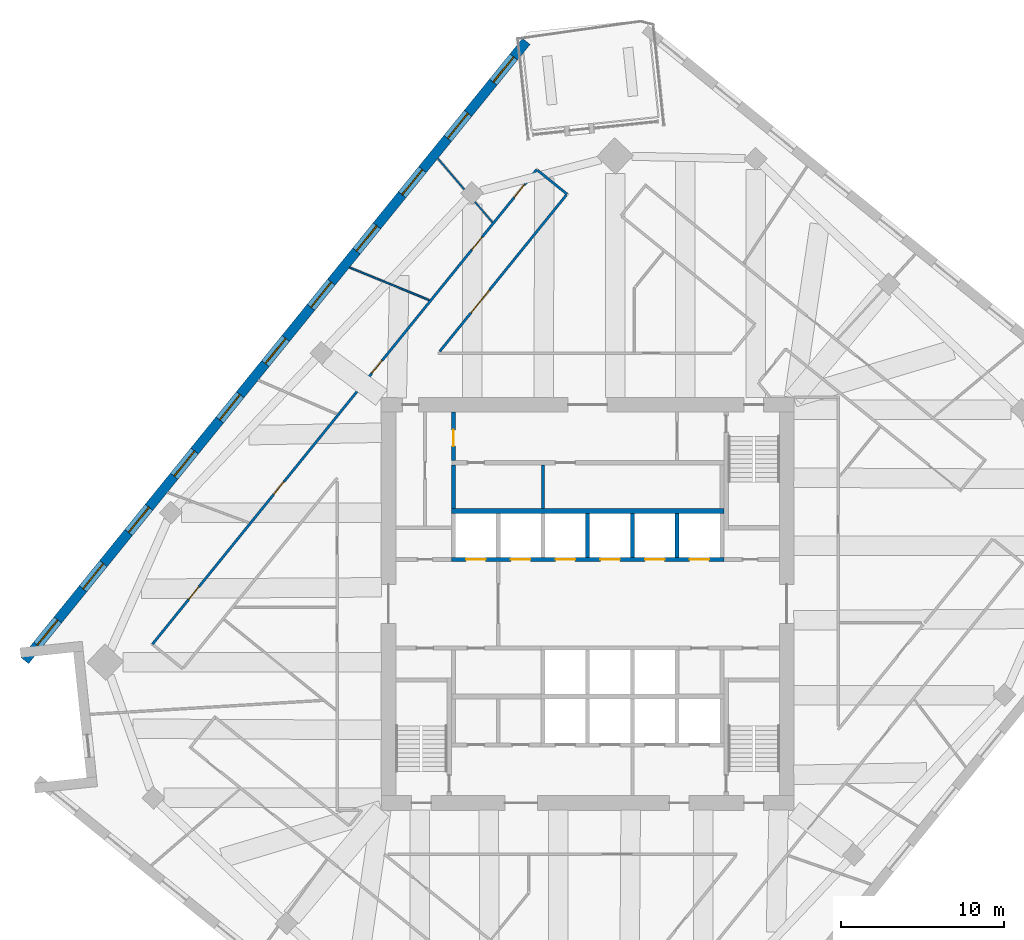
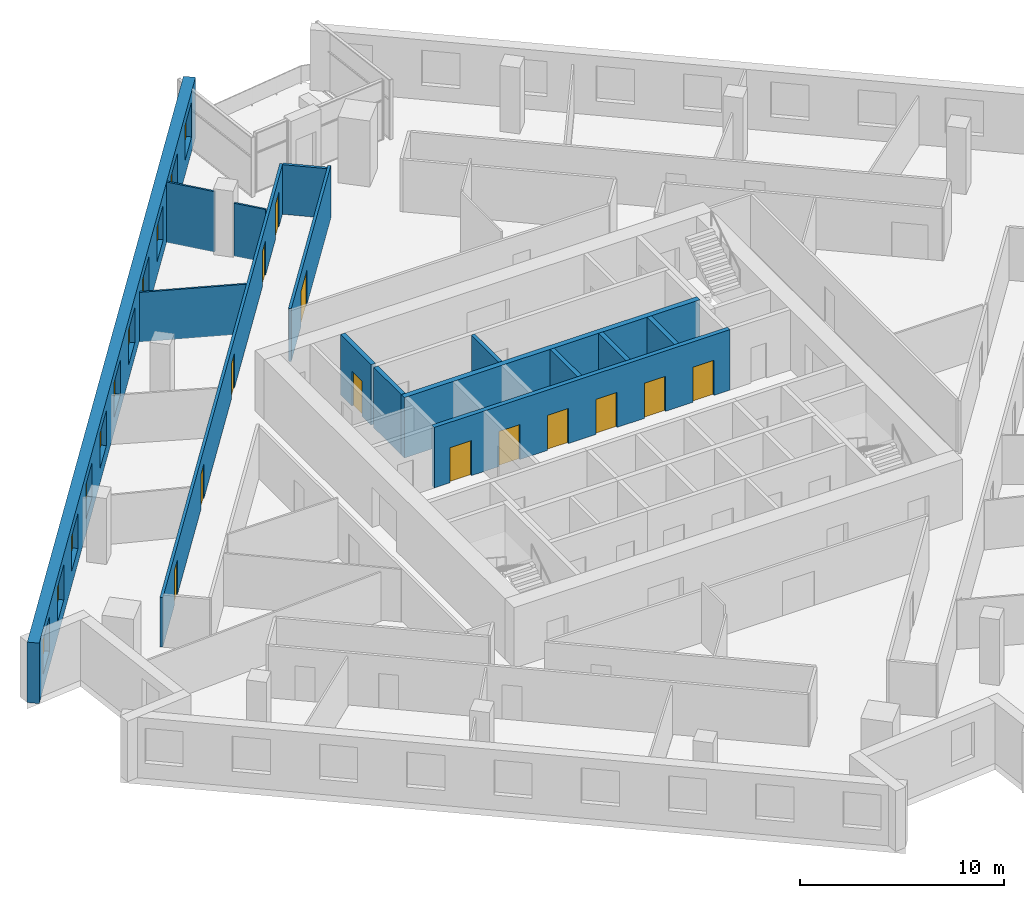
# One storey, part 10 of 14: 15 walls, 13 doors, 11 windows, 24 openings.
"""IFC4 building model written with IfcOpenShell, lengths in metres."""

from ifc_helpers import new_model, si_unit, direction, frame, frame_2d, origin, place, context, subcontext, project, spatial, rectangle, extrude, material, layer, layer_set, type_object, element, fill, save


model = new_model("IFC4")

# Units and contexts
model_context = context("Model", 3, precision=1e-05, world=origin(), true_north=direction((0.0, 1.0)))
body_context = subcontext(model_context, "Body", "Model", "MODEL_VIEW")
ifc_project = project(units=[si_unit("LENGTHUNIT", "METRE"), si_unit("AREAUNIT", "SQUARE_METRE"), si_unit("VOLUMEUNIT", "CUBIC_METRE"), si_unit("PLANEANGLEUNIT", "RADIAN"), si_unit("MASSUNIT", "GRAM", prefix="KILO")], contexts=[model_context])

# Site, building, storey
site_placement = place(None, origin())
site = spatial("IfcSite", under=ifc_project, at=site_placement, CompositionType="ELEMENT")
building_placement = place(site_placement, origin())
building = spatial("IfcBuilding", under=site, at=building_placement, Name="Dilmun Exchange Tower", CompositionType="ELEMENT")
storey_placement = place(building_placement, frame((0.0, 0.0, 233.300048828125)))
storey = spatial("IfcBuildingStorey", under=building, at=storey_placement, Name="L55", CompositionType="ELEMENT", Elevation=233.300048828125)

# Walls
ifc_material_1 = material(Name="Concrete C40/50", Category="concrete")
ifc_layer_1 = layer(ifc_material_1, 0.199951171875)
ifc_layer_set_1 = layer_set([ifc_layer_1], Name="Concrete C40/50")
wall_type_1 = type_object("IfcWallType", Name="Core partition wall 200", PredefinedType="PARTITIONING", material=ifc_layer_set_1)
wall_1_placement = place(storey_placement, frame((-2.75, 5.85498046875, 0.0), z_axis=(0.0, 0.0, 1.0), x_axis=(0.0, 1.0, 0.0)))
element("IfcWall", 1, at=wall_1_placement, inside=storey, type_object=wall_type_1, Name="L55 core partition wall 16", PredefinedType="PARTITIONING", context=body_context, shape_type="SweptSolid", body=[
    extrude(rectangle(XDim=2.68994140625, YDim=0.199951171875, at=frame_2d((1.344970703125, 0.0))), origin(), (0.0, 0.0, 1.0), 3.619873046875),
])
ifc_layer_2 = layer(ifc_material_1, 0.25)
ifc_layer_set_2 = layer_set([ifc_layer_2], Name="Concrete C40/50")
wall_type_2 = type_object("IfcWallType", Name="Core partition wall 250", PredefinedType="PARTITIONING", material=ifc_layer_set_2)
wall_2_placement = place(storey_placement, frame((-8.25, 5.85498046875, 0.0), z_axis=(0.0, 0.0, 1.0), x_axis=(0.0, 1.0, 0.0)))
element("IfcWall", 2, at=wall_2_placement, inside=storey, type_object=wall_type_2, Name="L55 core partition wall 15", PredefinedType="PARTITIONING", context=body_context, shape_type="SweptSolid", body=[
    extrude(rectangle(XDim=2.68994140625, YDim=0.25, at=frame_2d((1.344970703125, 0.0))), origin(), (0.0, 0.0, 1.0), 3.619873046875),
])

# Wall, opening, door
wall_3_placement = place(storey_placement, frame((-8.25, 8.804931640625, 0.0), z_axis=(0.0, 0.0, 1.0), x_axis=(0.0, 1.0, 0.0)))
wall_3 = element("IfcWall", 3, at=wall_3_placement, inside=storey, type_object=wall_type_2, Name="L55 core partition wall 19", PredefinedType="PARTITIONING", context=body_context, shape_type="SweptSolid", body=[
    extrude(rectangle(XDim=2.989990234375, YDim=0.25, at=frame_2d((1.4951171875, 0.0))), origin(), (0.0, 0.0, 1.0), 3.619873046875),
])
opening_1_placement = place(wall_3_placement, frame((0.89501953125, 0.0, 0.0)))
opening_1 = element("IfcOpeningElement", 4, at=opening_1_placement, cuts=wall_3, Name="Opening CD4", PredefinedType="OPENING", context=body_context, shape_type="SweptSolid", body=[
    extrude(rectangle(XDim=1.0, YDim=2.10009765625, at=frame_2d((0.5, 1.050048828125))), frame((0.0, 0.135009765625, 0.0), z_axis=(0.0, -1.0, 0.0), x_axis=(1.0, 0.0, 0.0)), (0.0, 0.0, 1.0), 0.27001953125),
])
ifc_material_2 = material(Name="Fire-rated steel door set", Category="steel")
door_type_1 = type_object("IfcDoorType", Name="Core room door 1000x2100", OperationType="SINGLE_SWING_LEFT", PredefinedType="DOOR", material=ifc_material_2)
door_1_placement = place(opening_1_placement, origin())
door_1 = element("IfcDoor", 5, at=door_1_placement, inside=storey, type_object=door_type_1, Name="L55 door Security room", OperationType="SINGLE_SWING_RIGHT", OverallHeight=2.10009765625, OverallWidth=1.0, PredefinedType="DOOR", context=body_context, shape_type="SweptSolid", body=[
    extrude(rectangle(XDim=1.0, YDim=2.10009765625, at=frame_2d((0.5, 1.050048828125))), frame((0.0, 0.02490234375, 0.0), z_axis=(0.0, -1.0, 0.0), x_axis=(1.0, 0.0, 0.0)), (0.0, 0.0, 1.0), 0.050048828125),
])
fill(opening_1, door_1)

# Wall, openings, doors
ifc_material_3 = material(Name="Corridor wall 150")
ifc_layer_3 = layer(ifc_material_3, 0.14990234375)
ifc_layer_set_3 = layer_set([ifc_layer_3], Name="Corridor wall 150")
wall_type_3 = type_object("IfcWallType", Name="Corridor wall 150", PredefinedType="PARTITIONING", material=ifc_layer_set_3)
wall_4_placement = place(storey_placement, frame((-26.76904296875, -2.487060546875, 0.0), z_axis=(0.0, 0.0, 1.0), x_axis=(0.629320703929, 0.777145708092, 0.0)))
wall_4 = element("IfcWall", 6, at=wall_4_placement, inside=storey, type_object=wall_type_3, Name="Corridor wall", PredefinedType="PARTITIONING", context=body_context, shape_type="SweptSolid", body=[
    extrude(rectangle(XDim=37.557861328125, YDim=0.14990234375, at=frame_2d((18.77880859375, 0.0))), origin(), (0.0, 0.0, 1.0), 2.969970703125),
])
opening_2_placement = place(wall_4_placement, frame((3.550048828125, 0.0, 0.0)))
opening_2 = element("IfcOpeningElement", 7, at=opening_2_placement, cuts=wall_4, Name="Opening TF53-D01", PredefinedType="OPENING", context=body_context, shape_type="SweptSolid", body=[
    extrude(rectangle(XDim=1.0, YDim=2.10009765625, at=frame_2d((0.5, 1.050048828125))), frame((0.0, 0.0849609375, 0.0), z_axis=(0.0, -1.0, 0.0), x_axis=(1.0, 0.0, 0.0)), (0.0, 0.0, 1.0), 0.169921875),
])
opening_3_placement = place(wall_4_placement, frame((11.86181640625, 0.0, 0.0)))
opening_3 = element("IfcOpeningElement", 8, at=opening_3_placement, cuts=wall_4, Name="Opening TF53-D04", PredefinedType="OPENING", context=body_context, shape_type="SweptSolid", body=[
    extrude(rectangle(XDim=1.0, YDim=2.10009765625, at=frame_2d((0.5, 1.050048828125))), frame((0.0, 0.0849609375, 0.0), z_axis=(0.0, -1.0, 0.0), x_axis=(1.0, 0.0, 0.0)), (0.0, 0.0, 1.0), 0.169921875),
])
opening_4_placement = place(wall_4_placement, frame((21.451904296875, 0.0, 0.0)))
opening_4 = element("IfcOpeningElement", 9, at=opening_4_placement, cuts=wall_4, Name="Opening TF53-D07", PredefinedType="OPENING", context=body_context, shape_type="SweptSolid", body=[
    extrude(rectangle(XDim=1.0, YDim=2.10009765625, at=frame_2d((0.5, 1.050048828125))), frame((0.0, 0.0849609375, 0.0), z_axis=(0.0, -1.0, 0.0), x_axis=(1.0, 0.0, 0.0)), (0.0, 0.0, 1.0), 0.169921875),
])
opening_5_placement = place(wall_4_placement, frame((31.223388671875, 0.0, 0.0)))
opening_5 = element("IfcOpeningElement", 10, at=opening_5_placement, cuts=wall_4, Name="Opening TF53-D09", PredefinedType="OPENING", context=body_context, shape_type="SweptSolid", body=[
    extrude(rectangle(XDim=1.0, YDim=2.10009765625, at=frame_2d((0.5, 1.050048828125))), frame((0.0, 0.0849609375, 0.0), z_axis=(0.0, -1.0, 0.0), x_axis=(1.0, 0.0, 0.0)), (0.0, 0.0, 1.0), 0.169921875),
])
opening_6_placement = place(wall_4_placement, frame((35.359375, 0.0, 0.0)))
opening_6 = element("IfcOpeningElement", 11, at=opening_6_placement, cuts=wall_4, Name="Opening TF53-D14", PredefinedType="OPENING", context=body_context, shape_type="SweptSolid", body=[
    extrude(rectangle(XDim=1.0, YDim=2.10009765625, at=frame_2d((0.5, 1.050048828125))), frame((0.0, 0.0849609375, 0.0), z_axis=(0.0, -1.0, 0.0), x_axis=(1.0, 0.0, 0.0)), (0.0, 0.0, 1.0), 0.169921875),
])
ifc_material_4 = material(Name="Fire door 1000 x 2100")
door_type_2 = type_object("IfcDoorType", Name="Fire door 1000 x 2100", OperationType="NOTDEFINED", PredefinedType="DOOR", material=ifc_material_4)
door_2_placement = place(opening_2_placement, origin())
door_2 = element("IfcDoor", 12, at=door_2_placement, inside=storey, type_object=door_type_2, Name="Door TF53-D01", OperationType="SINGLE_SWING_RIGHT", OverallHeight=2.10009765625, OverallWidth=1.0, PredefinedType="DOOR", context=body_context, shape_type="SweptSolid", body=[
    extrude(rectangle(XDim=1.0, YDim=2.10009765625, at=frame_2d((0.5, 1.050048828125))), frame((0.0, 0.02490234375, 0.0), z_axis=(0.0, -1.0, 0.0), x_axis=(1.0, 0.0, 0.0)), (0.0, 0.0, 1.0), 0.050048828125),
])
fill(opening_2, door_2)
door_3_placement = place(opening_3_placement, origin())
door_3 = element("IfcDoor", 13, at=door_3_placement, inside=storey, type_object=door_type_2, Name="Door TF53-D04", OperationType="SINGLE_SWING_LEFT", OverallHeight=2.10009765625, OverallWidth=1.0, PredefinedType="DOOR", context=body_context, shape_type="SweptSolid", body=[
    extrude(rectangle(XDim=1.0, YDim=2.10009765625, at=frame_2d((0.5, 1.050048828125))), frame((0.0, 0.02490234375, 0.0), z_axis=(0.0, -1.0, 0.0), x_axis=(1.0, 0.0, 0.0)), (0.0, 0.0, 1.0), 0.050048828125),
])
fill(opening_3, door_3)
door_4_placement = place(opening_4_placement, origin())
door_4 = element("IfcDoor", 14, at=door_4_placement, inside=storey, type_object=door_type_2, Name="Door TF53-D07", OperationType="SINGLE_SWING_RIGHT", OverallHeight=2.10009765625, OverallWidth=1.0, PredefinedType="DOOR", context=body_context, shape_type="SweptSolid", body=[
    extrude(rectangle(XDim=1.0, YDim=2.10009765625, at=frame_2d((0.5, 1.050048828125))), frame((0.0, 0.02490234375, 0.0), z_axis=(0.0, -1.0, 0.0), x_axis=(1.0, 0.0, 0.0)), (0.0, 0.0, 1.0), 0.050048828125),
])
fill(opening_4, door_4)
door_5_placement = place(opening_5_placement, origin())
door_5 = element("IfcDoor", 15, at=door_5_placement, inside=storey, type_object=door_type_2, Name="Door TF53-D09", OperationType="SINGLE_SWING_RIGHT", OverallHeight=2.10009765625, OverallWidth=1.0, PredefinedType="DOOR", context=body_context, shape_type="SweptSolid", body=[
    extrude(rectangle(XDim=1.0, YDim=2.10009765625, at=frame_2d((0.5, 1.050048828125))), frame((0.0, 0.02490234375, 0.0), z_axis=(0.0, -1.0, 0.0), x_axis=(1.0, 0.0, 0.0)), (0.0, 0.0, 1.0), 0.050048828125),
])
fill(opening_5, door_5)
door_6_placement = place(opening_6_placement, origin())
door_6 = element("IfcDoor", 16, at=door_6_placement, inside=storey, type_object=door_type_2, Name="Door TF53-D14", OperationType="SINGLE_SWING_RIGHT", OverallHeight=2.10009765625, OverallWidth=1.0, PredefinedType="DOOR", context=body_context, shape_type="SweptSolid", body=[
    extrude(rectangle(XDim=1.0, YDim=2.10009765625, at=frame_2d((0.5, 1.050048828125))), frame((0.0, 0.02490234375, 0.0), z_axis=(0.0, -1.0, 0.0), x_axis=(1.0, 0.0, 0.0)), (0.0, 0.0, 1.0), 0.050048828125),
])
fill(opening_6, door_6)

# Wall, opening, door
wall_5_placement = place(storey_placement, frame((-9.09716796875, 15.522216796875, 0.0), z_axis=(0.0, 0.0, 1.0), x_axis=(0.629294773149, 0.777166705725, 0.0)))
wall_5 = element("IfcWall", 17, at=wall_5_placement, inside=storey, type_object=wall_type_3, Name="Corridor wall", PredefinedType="PARTITIONING", context=body_context, shape_type="SweptSolid", body=[
    extrude(rectangle(XDim=12.3662109375, YDim=0.14990234375, at=frame_2d((6.18310546875, 0.0))), origin(), (0.0, 0.0, 1.0), 3.169921875),
])
opening_7_placement = place(wall_5_placement, frame((3.050048828125, 0.0, 0.0)))
opening_7 = element("IfcOpeningElement", 18, at=opening_7_placement, cuts=wall_5, Name="Opening TF53-D13", PredefinedType="OPENING", context=body_context, shape_type="SweptSolid", body=[
    extrude(rectangle(XDim=1.800048828125, YDim=2.10009765625, at=frame_2d((0.89990234375, 1.050048828125))), frame((0.0, 0.0849609375, 0.0), z_axis=(0.0, -1.0, 0.0), x_axis=(1.0, 0.0, 0.0)), (0.0, 0.0, 1.0), 0.169921875),
])
ifc_material_5 = material(Name="Fire door pair 1800 x 2100")
door_type_3 = type_object("IfcDoorType", Name="Fire door pair 1800 x 2100", OperationType="NOTDEFINED", PredefinedType="DOOR", material=ifc_material_5)
door_7_placement = place(opening_7_placement, frame((1.800048828125, 0.0, 0.0), z_axis=(0.0, 0.0, 1.0), x_axis=(-1.0, 0.0, 0.0)))
door_7 = element("IfcDoor", 19, at=door_7_placement, inside=storey, type_object=door_type_3, Name="Door TF53-D13", OperationType="DOUBLE_DOOR_SINGLE_SWING", OverallHeight=2.10009765625, OverallWidth=1.800048828125, PredefinedType="DOOR", context=body_context, shape_type="SweptSolid", body=[
    extrude(rectangle(XDim=1.800048828125, YDim=2.10009765625, at=frame_2d((0.89990234375, 1.050048828125))), frame((0.0, 0.02490234375, 0.0), z_axis=(0.0, -1.0, 0.0), x_axis=(1.0, 0.0, 0.0)), (0.0, 0.0, 1.0), 0.050048828125),
])
fill(opening_7, door_7)

# Walls
wall_6_placement = place(storey_placement, frame((-3.07470703125, 26.65380859375, 0.0), z_axis=(0.0, 0.0, 1.0), x_axis=(0.777166601342, -0.62929490206, 0.0)))
element("IfcWall", 20, at=wall_6_placement, inside=storey, type_object=wall_type_3, Name="Corridor wall", PredefinedType="PARTITIONING", context=body_context, shape_type="SweptSolid", body=[
    extrude(rectangle(XDim=2.32470703125, YDim=0.14990234375, at=frame_2d((1.162353515625, 0.0))), origin(), (0.0, 0.0, 1.0), 2.969970703125),
])
ifc_layer_4 = layer(ifc_material_1, 0.300048828125)
ifc_layer_set_4 = layer_set([ifc_layer_4], Name="Concrete C40/50")
wall_type_4 = type_object("IfcWallType", Name="Lift shaft shared wall 300", PredefinedType="SOLIDWALL", material=ifc_layer_set_4)
wall_7_placement = place(storey_placement, frame((-8.375, 5.699951171875, 0.0), z_axis=(0.0, 0.0, 1.0), x_axis=(1.0, 0.0, 0.0)))
element("IfcWall", 21, at=wall_7_placement, inside=storey, type_object=wall_type_4, Name="L55 lift shaft rear wall N", PredefinedType="SOLIDWALL", context=body_context, shape_type="SweptSolid", body=[
    extrude(rectangle(XDim=16.75, YDim=0.300048828125, at=frame_2d((8.375, 0.0))), origin(), (0.0, 0.0, 1.0), 3.619873046875),
])

# Wall, openings, doors
ifc_layer_5 = layer(ifc_material_1, 0.25)
ifc_layer_set_5 = layer_set([ifc_layer_5], Name="Concrete C40/50")
wall_type_5 = type_object("IfcWallType", Name="Lift shaft wall 250", PredefinedType="SOLIDWALL", material=ifc_layer_set_5)
wall_8_placement = place(storey_placement, frame((-8.375, 2.72509765625, 0.0), z_axis=(0.0, 0.0, 1.0), x_axis=(1.0, 0.0, 0.0)))
wall_8 = element("IfcWall", 22, at=wall_8_placement, inside=storey, type_object=wall_type_5, Name="L55 lift shaft front wall N1", PredefinedType="SOLIDWALL", context=body_context, shape_type="SweptSolid", body=[
    extrude(rectangle(XDim=16.75, YDim=0.25, at=frame_2d((8.375, 0.0))), origin(), (0.0, 0.0, 1.0), 3.619873046875),
])
opening_8_placement = place(wall_8_placement, frame((0.89990234375, 0.0, 0.0)))
opening_8 = element("IfcOpeningElement", 23, at=opening_8_placement, cuts=wall_8, Name="Opening LD", PredefinedType="OPENING", context=body_context, shape_type="SweptSolid", body=[
    extrude(rectangle(XDim=1.199951171875, YDim=2.10009765625, at=frame_2d((0.60009765625, 1.050048828125))), frame((0.0, 0.135009765625, 0.0), z_axis=(0.0, -1.0, 0.0), x_axis=(1.0, 0.0, 0.0)), (0.0, 0.0, 1.0), 0.27001953125),
])
opening_9_placement = place(wall_8_placement, frame((3.64990234375, 0.0, 0.0)))
opening_9 = element("IfcOpeningElement", 24, at=opening_9_placement, cuts=wall_8, Name="Opening LD", PredefinedType="OPENING", context=body_context, shape_type="SweptSolid", body=[
    extrude(rectangle(XDim=1.199951171875, YDim=2.10009765625, at=frame_2d((0.60009765625, 1.050048828125))), frame((0.0, 0.135009765625, 0.0), z_axis=(0.0, -1.0, 0.0), x_axis=(1.0, 0.0, 0.0)), (0.0, 0.0, 1.0), 0.27001953125),
])
opening_10_placement = place(wall_8_placement, frame((6.39990234375, 0.0, 0.0)))
opening_10 = element("IfcOpeningElement", 25, at=opening_10_placement, cuts=wall_8, Name="Opening LD", PredefinedType="OPENING", context=body_context, shape_type="SweptSolid", body=[
    extrude(rectangle(XDim=1.199951171875, YDim=2.10009765625, at=frame_2d((0.60009765625, 1.050048828125))), frame((0.0, 0.135009765625, 0.0), z_axis=(0.0, -1.0, 0.0), x_axis=(1.0, 0.0, 0.0)), (0.0, 0.0, 1.0), 0.27001953125),
])
opening_11_placement = place(wall_8_placement, frame((9.14990234375, 0.0, 0.0)))
opening_11 = element("IfcOpeningElement", 26, at=opening_11_placement, cuts=wall_8, Name="Opening LD", PredefinedType="OPENING", context=body_context, shape_type="SweptSolid", body=[
    extrude(rectangle(XDim=1.199951171875, YDim=2.10009765625, at=frame_2d((0.60009765625, 1.050048828125))), frame((0.0, 0.135009765625, 0.0), z_axis=(0.0, -1.0, 0.0), x_axis=(1.0, 0.0, 0.0)), (0.0, 0.0, 1.0), 0.27001953125),
])
opening_12_placement = place(wall_8_placement, frame((11.89990234375, 0.0, 0.0)))
opening_12 = element("IfcOpeningElement", 27, at=opening_12_placement, cuts=wall_8, Name="Opening LD", PredefinedType="OPENING", context=body_context, shape_type="SweptSolid", body=[
    extrude(rectangle(XDim=1.199951171875, YDim=2.10009765625, at=frame_2d((0.60009765625, 1.050048828125))), frame((0.0, 0.135009765625, 0.0), z_axis=(0.0, -1.0, 0.0), x_axis=(1.0, 0.0, 0.0)), (0.0, 0.0, 1.0), 0.27001953125),
])
opening_13_placement = place(wall_8_placement, frame((14.64990234375, 0.0, 0.0)))
opening_13 = element("IfcOpeningElement", 28, at=opening_13_placement, cuts=wall_8, Name="Opening LD", PredefinedType="OPENING", context=body_context, shape_type="SweptSolid", body=[
    extrude(rectangle(XDim=1.199951171875, YDim=2.10009765625, at=frame_2d((0.60009765625, 1.050048828125))), frame((0.0, 0.135009765625, 0.0), z_axis=(0.0, -1.0, 0.0), x_axis=(1.0, 0.0, 0.0)), (0.0, 0.0, 1.0), 0.27001953125),
])
door_type_4 = type_object("IfcDoorType", Name="Lift landing door 1200x2100", OperationType="DOUBLE_DOOR_SLIDING", PredefinedType="DOOR", material=ifc_material_2)
door_8_placement = place(opening_8_placement, origin())
door_8 = element("IfcDoor", 29, at=door_8_placement, inside=storey, type_object=door_type_4, Name="L55 landing door MR1", OperationType="DOUBLE_DOOR_SLIDING", OverallHeight=2.10009765625, OverallWidth=1.199951171875, PredefinedType="DOOR", context=body_context, shape_type="SweptSolid", body=[
    extrude(rectangle(XDim=1.199951171875, YDim=2.10009765625, at=frame_2d((0.60009765625, 1.050048828125))), frame((0.0, 0.02490234375, 0.0), z_axis=(0.0, -1.0, 0.0), x_axis=(1.0, 0.0, 0.0)), (0.0, 0.0, 1.0), 0.050048828125),
])
fill(opening_8, door_8)
door_9_placement = place(opening_9_placement, origin())
door_9 = element("IfcDoor", 30, at=door_9_placement, inside=storey, type_object=door_type_4, Name="L55 landing door MR2", OperationType="DOUBLE_DOOR_SLIDING", OverallHeight=2.10009765625, OverallWidth=1.199951171875, PredefinedType="DOOR", context=body_context, shape_type="SweptSolid", body=[
    extrude(rectangle(XDim=1.199951171875, YDim=2.10009765625, at=frame_2d((0.60009765625, 1.050048828125))), frame((0.0, 0.02490234375, 0.0), z_axis=(0.0, -1.0, 0.0), x_axis=(1.0, 0.0, 0.0)), (0.0, 0.0, 1.0), 0.050048828125),
])
fill(opening_9, door_9)
door_10_placement = place(opening_10_placement, origin())
door_10 = element("IfcDoor", 31, at=door_10_placement, inside=storey, type_object=door_type_4, Name="L55 landing door MR3", OperationType="DOUBLE_DOOR_SLIDING", OverallHeight=2.10009765625, OverallWidth=1.199951171875, PredefinedType="DOOR", context=body_context, shape_type="SweptSolid", body=[
    extrude(rectangle(XDim=1.199951171875, YDim=2.10009765625, at=frame_2d((0.60009765625, 1.050048828125))), frame((0.0, 0.02490234375, 0.0), z_axis=(0.0, -1.0, 0.0), x_axis=(1.0, 0.0, 0.0)), (0.0, 0.0, 1.0), 0.050048828125),
])
fill(opening_10, door_10)
door_11_placement = place(opening_11_placement, origin())
door_11 = element("IfcDoor", 32, at=door_11_placement, inside=storey, type_object=door_type_4, Name="L55 landing door MR4", OperationType="DOUBLE_DOOR_SLIDING", OverallHeight=2.10009765625, OverallWidth=1.199951171875, PredefinedType="DOOR", context=body_context, shape_type="SweptSolid", body=[
    extrude(rectangle(XDim=1.199951171875, YDim=2.10009765625, at=frame_2d((0.60009765625, 1.050048828125))), frame((0.0, 0.02490234375, 0.0), z_axis=(0.0, -1.0, 0.0), x_axis=(1.0, 0.0, 0.0)), (0.0, 0.0, 1.0), 0.050048828125),
])
fill(opening_11, door_11)
door_12_placement = place(opening_12_placement, origin())
door_12 = element("IfcDoor", 33, at=door_12_placement, inside=storey, type_object=door_type_4, Name="L55 landing door MR5", OperationType="DOUBLE_DOOR_SLIDING", OverallHeight=2.10009765625, OverallWidth=1.199951171875, PredefinedType="DOOR", context=body_context, shape_type="SweptSolid", body=[
    extrude(rectangle(XDim=1.199951171875, YDim=2.10009765625, at=frame_2d((0.60009765625, 1.050048828125))), frame((0.0, 0.02490234375, 0.0), z_axis=(0.0, -1.0, 0.0), x_axis=(1.0, 0.0, 0.0)), (0.0, 0.0, 1.0), 0.050048828125),
])
fill(opening_12, door_12)
door_13_placement = place(opening_13_placement, origin())
door_13 = element("IfcDoor", 34, at=door_13_placement, inside=storey, type_object=door_type_4, Name="L55 landing door MR6", OperationType="DOUBLE_DOOR_SLIDING", OverallHeight=2.10009765625, OverallWidth=1.199951171875, PredefinedType="DOOR", context=body_context, shape_type="SweptSolid", body=[
    extrude(rectangle(XDim=1.199951171875, YDim=2.10009765625, at=frame_2d((0.60009765625, 1.050048828125))), frame((0.0, 0.02490234375, 0.0), z_axis=(0.0, -1.0, 0.0), x_axis=(1.0, 0.0, 0.0)), (0.0, 0.0, 1.0), 0.050048828125),
])
fill(opening_13, door_13)

# Walls
for number, where, z_axis, x_axis, name in (
    (35, (0.0, 2.85009765625, 0.0), (0.0, 0.0, 1.0), (0.0, 1.0, 0.0), "L55 lift shaft divider N13"),
    (36, (2.75, 2.85009765625, 0.0), (0.0, 0.0, 1.0), (0.0, 1.0, 0.0), "L55 lift shaft divider N14"),
    (37, (5.5, 2.85009765625, 0.0), (0.0, 0.0, 1.0), (0.0, 1.0, 0.0), "L55 lift shaft divider N15"),
):
    element("IfcWall", number, at=place(storey_placement, frame(where, z_axis=z_axis, x_axis=x_axis)), inside=storey, type_object=wall_type_5, Name=name, PredefinedType="SOLIDWALL", context=body_context, shape_type="SweptSolid", body=[
        extrude(rectangle(XDim=2.699951171875, YDim=0.25, at=frame_2d((1.35009765625, 0.0))), origin(), (0.0, 0.0, 1.0), 3.619873046875),
    ])
ifc_material_6 = material(Name="Partition 100")
ifc_layer_6 = layer(ifc_material_6, 0.10009765625)
ifc_layer_set_6 = layer_set([ifc_layer_6], Name="Partition 100")
wall_type_6 = type_object("IfcWallType", Name="Partition 100", PredefinedType="PARTITIONING", material=ifc_layer_set_6)
wall_9_placement = place(storey_placement, frame((-14.64501953125, 20.683837890625, 0.0), z_axis=(0.0, 0.0, 1.0), x_axis=(0.925219687535, -0.379431851321, 0.0)))
element("IfcWall", 38, at=wall_9_placement, inside=storey, type_object=wall_type_6, Name="Partition", PredefinedType="PARTITIONING", context=body_context, shape_type="SweptSolid", body=[
    extrude(rectangle(XDim=5.29345703125, YDim=0.10009765625, at=frame_2d((2.646728515625, 0.0))), origin(), (0.0, 0.0, 1.0), 2.969970703125),
])
wall_10_placement = place(storey_placement, frame((-9.217041015625, 27.38671875, 0.0), z_axis=(0.0, 0.0, 1.0), x_axis=(0.649924567032, -0.75999872182, 0.0)))
element("IfcWall", 39, at=wall_10_placement, inside=storey, type_object=wall_type_6, Name="Partition", PredefinedType="PARTITIONING", context=body_context, shape_type="SweptSolid", body=[
    extrude(rectangle(XDim=2.50634765625, YDim=0.10009765625, at=frame_2d((1.253173828125, 0.0))), origin(), (0.0, 0.0, 1.0), 3.619873046875),
])
wall_11_placement = place(storey_placement, frame((-6.9345703125, 24.71728515625, 0.0), z_axis=(0.0, 0.0, 1.0), x_axis=(0.650047373703, -0.759893684631, 0.0)))
element("IfcWall", 40, at=wall_11_placement, inside=storey, type_object=wall_type_6, Name="Partition", PredefinedType="PARTITIONING", context=body_context, shape_type="SweptSolid", body=[
    extrude(rectangle(XDim=1.649169921875, YDim=0.10009765625, at=frame_2d((0.82470703125, 0.0))), origin(), (0.0, 0.0, 1.0), 3.169921875),
])

# Wall, openings, windows
ifc_material_7 = material(Name="Precast concrete C50/60", Category="concrete")
ifc_layer_7 = layer(ifc_material_7, 0.60009765625)
ifc_layer_set_7 = layer_set([ifc_layer_7], Name="Precast concrete C50/60")
wall_type_7 = type_object("IfcWallType", Name="Precast stone-clad wall 600", PredefinedType="STANDARD", material=ifc_layer_set_7)
wall_12_placement = place(storey_placement, frame((-3.777099609375, 34.584228515625, 0.0), z_axis=(0.0, 0.0, 1.0), x_axis=(-0.629323778295, -0.777143218508, 0.0)))
wall_12 = element("IfcWall", 41, at=wall_12_placement, inside=storey, type_object=wall_type_7, Name="Facade wall L55-03", PredefinedType="STANDARD", context=body_context, shape_type="SweptSolid", body=[
    extrude(rectangle(XDim=49.0, YDim=0.60009765625, at=frame_2d((24.5, 0.0))), origin(), (0.0, 0.0, 1.0), 3.619873046875),
])
opening_14_placement = place(wall_12_placement, frame((1.227294921875, 0.0, 0.89990234375)))
opening_14 = element("IfcOpeningElement", 42, at=opening_14_placement, cuts=wall_12, Name="Opening W200-210", PredefinedType="OPENING", context=body_context, shape_type="SweptSolid", body=[
    extrude(rectangle(XDim=2.0, YDim=2.10009765625, at=frame_2d((1.0, 1.050048828125))), frame((0.0, 0.31005859375, 0.0), z_axis=(0.0, -1.0, 0.0), x_axis=(1.0, 0.0, 0.0)), (0.0, 0.0, 1.0), 0.6201171875),
])
opening_15_placement = place(wall_12_placement, frame((5.681884765625, 0.0, 0.89990234375)))
opening_15 = element("IfcOpeningElement", 43, at=opening_15_placement, cuts=wall_12, Name="Opening W200-210", PredefinedType="OPENING", context=body_context, shape_type="SweptSolid", body=[
    extrude(rectangle(XDim=2.0, YDim=2.10009765625, at=frame_2d((1.0, 1.050048828125))), frame((0.0, 0.31005859375, 0.0), z_axis=(0.0, -1.0, 0.0), x_axis=(1.0, 0.0, 0.0)), (0.0, 0.0, 1.0), 0.6201171875),
])
opening_16_placement = place(wall_12_placement, frame((10.136474609375, 0.0, 0.89990234375)))
opening_16 = element("IfcOpeningElement", 44, at=opening_16_placement, cuts=wall_12, Name="Opening W200-210", PredefinedType="OPENING", context=body_context, shape_type="SweptSolid", body=[
    extrude(rectangle(XDim=2.0, YDim=2.10009765625, at=frame_2d((1.0, 1.050048828125))), frame((0.0, 0.31005859375, 0.0), z_axis=(0.0, -1.0, 0.0), x_axis=(1.0, 0.0, 0.0)), (0.0, 0.0, 1.0), 0.6201171875),
])
opening_17_placement = place(wall_12_placement, frame((14.5908203125, 0.0, 0.89990234375)))
opening_17 = element("IfcOpeningElement", 45, at=opening_17_placement, cuts=wall_12, Name="Opening W200-210", PredefinedType="OPENING", context=body_context, shape_type="SweptSolid", body=[
    extrude(rectangle(XDim=2.0, YDim=2.10009765625, at=frame_2d((1.0, 1.050048828125))), frame((0.0, 0.31005859375, 0.0), z_axis=(0.0, -1.0, 0.0), x_axis=(1.0, 0.0, 0.0)), (0.0, 0.0, 1.0), 0.6201171875),
])
opening_18_placement = place(wall_12_placement, frame((19.04541015625, 0.0, 0.89990234375)))
opening_18 = element("IfcOpeningElement", 46, at=opening_18_placement, cuts=wall_12, Name="Opening W200-210", PredefinedType="OPENING", context=body_context, shape_type="SweptSolid", body=[
    extrude(rectangle(XDim=2.0, YDim=2.10009765625, at=frame_2d((1.0, 1.050048828125))), frame((0.0, 0.31005859375, 0.0), z_axis=(0.0, -1.0, 0.0), x_axis=(1.0, 0.0, 0.0)), (0.0, 0.0, 1.0), 0.6201171875),
])
opening_19_placement = place(wall_12_placement, frame((23.5, 0.0, 0.89990234375)))
opening_19 = element("IfcOpeningElement", 47, at=opening_19_placement, cuts=wall_12, Name="Opening W200-210", PredefinedType="OPENING", context=body_context, shape_type="SweptSolid", body=[
    extrude(rectangle(XDim=2.0, YDim=2.10009765625, at=frame_2d((1.0, 1.050048828125))), frame((0.0, 0.31005859375, 0.0), z_axis=(0.0, -1.0, 0.0), x_axis=(1.0, 0.0, 0.0)), (0.0, 0.0, 1.0), 0.6201171875),
])
opening_20_placement = place(wall_12_placement, frame((27.95458984375, 0.0, 0.89990234375)))
opening_20 = element("IfcOpeningElement", 48, at=opening_20_placement, cuts=wall_12, Name="Opening W200-210", PredefinedType="OPENING", context=body_context, shape_type="SweptSolid", body=[
    extrude(rectangle(XDim=2.0, YDim=2.10009765625, at=frame_2d((1.0, 1.050048828125))), frame((0.0, 0.31005859375, 0.0), z_axis=(0.0, -1.0, 0.0), x_axis=(1.0, 0.0, 0.0)), (0.0, 0.0, 1.0), 0.6201171875),
])
opening_21_placement = place(wall_12_placement, frame((32.4091796875, 0.0, 0.89990234375)))
opening_21 = element("IfcOpeningElement", 49, at=opening_21_placement, cuts=wall_12, Name="Opening W200-210", PredefinedType="OPENING", context=body_context, shape_type="SweptSolid", body=[
    extrude(rectangle(XDim=2.0, YDim=2.10009765625, at=frame_2d((1.0, 1.050048828125))), frame((0.0, 0.31005859375, 0.0), z_axis=(0.0, -1.0, 0.0), x_axis=(1.0, 0.0, 0.0)), (0.0, 0.0, 1.0), 0.6201171875),
])
opening_22_placement = place(wall_12_placement, frame((36.863525390625, 0.0, 0.89990234375)))
opening_22 = element("IfcOpeningElement", 50, at=opening_22_placement, cuts=wall_12, Name="Opening W200-210", PredefinedType="OPENING", context=body_context, shape_type="SweptSolid", body=[
    extrude(rectangle(XDim=2.0, YDim=2.10009765625, at=frame_2d((1.0, 1.050048828125))), frame((0.0, 0.31005859375, 0.0), z_axis=(0.0, -1.0, 0.0), x_axis=(1.0, 0.0, 0.0)), (0.0, 0.0, 1.0), 0.6201171875),
])
opening_23_placement = place(wall_12_placement, frame((41.318115234375, 0.0, 0.89990234375)))
opening_23 = element("IfcOpeningElement", 51, at=opening_23_placement, cuts=wall_12, Name="Opening W200-210", PredefinedType="OPENING", context=body_context, shape_type="SweptSolid", body=[
    extrude(rectangle(XDim=2.0, YDim=2.10009765625, at=frame_2d((1.0, 1.050048828125))), frame((0.0, 0.31005859375, 0.0), z_axis=(0.0, -1.0, 0.0), x_axis=(1.0, 0.0, 0.0)), (0.0, 0.0, 1.0), 0.6201171875),
])
opening_24_placement = place(wall_12_placement, frame((45.772705078125, 0.0, 0.89990234375)))
opening_24 = element("IfcOpeningElement", 52, at=opening_24_placement, cuts=wall_12, Name="Opening W200-210", PredefinedType="OPENING", context=body_context, shape_type="SweptSolid", body=[
    extrude(rectangle(XDim=2.0, YDim=2.10009765625, at=frame_2d((1.0, 1.050048828125))), frame((0.0, 0.31005859375, 0.0), z_axis=(0.0, -1.0, 0.0), x_axis=(1.0, 0.0, 0.0)), (0.0, 0.0, 1.0), 0.6201171875),
])
ifc_material_8 = material(Name="Clear low-emissivity glass in aluminium frame", Category="aluminium")
window_type = type_object("IfcWindowType", Name="Punched window 2000 x 2100", PartitioningType="DOUBLE_PANEL_VERTICAL", PredefinedType="WINDOW", material=ifc_material_8)
window_1_placement = place(opening_14_placement, origin())
window_1 = element("IfcWindow", 53, at=window_1_placement, inside=storey, type_object=window_type, Name="Window 4.1", OverallHeight=2.10009765625, OverallWidth=2.0, PartitioningType="SINGLE_PANEL", PredefinedType="WINDOW", context=body_context, shape_type="SweptSolid", body=[
    extrude(rectangle(XDim=2.0, YDim=2.10009765625, at=frame_2d((1.0, 1.050048828125))), frame((0.0, 0.030029296875, 0.0), z_axis=(0.0, -1.0, 0.0), x_axis=(1.0, 0.0, 0.0)), (0.0, 0.0, 1.0), 0.06005859375),
])
fill(opening_14, window_1)
window_2_placement = place(opening_15_placement, origin())
window_2 = element("IfcWindow", 54, at=window_2_placement, inside=storey, type_object=window_type, Name="Window 4.2", OverallHeight=2.10009765625, OverallWidth=2.0, PartitioningType="SINGLE_PANEL", PredefinedType="WINDOW", context=body_context, shape_type="SweptSolid", body=[
    extrude(rectangle(XDim=2.0, YDim=2.10009765625, at=frame_2d((1.0, 1.050048828125))), frame((0.0, 0.030029296875, 0.0), z_axis=(0.0, -1.0, 0.0), x_axis=(1.0, 0.0, 0.0)), (0.0, 0.0, 1.0), 0.06005859375),
])
fill(opening_15, window_2)
window_3_placement = place(opening_16_placement, origin())
window_3 = element("IfcWindow", 55, at=window_3_placement, inside=storey, type_object=window_type, Name="Window 4.3", OverallHeight=2.10009765625, OverallWidth=2.0, PartitioningType="SINGLE_PANEL", PredefinedType="WINDOW", context=body_context, shape_type="SweptSolid", body=[
    extrude(rectangle(XDim=2.0, YDim=2.10009765625, at=frame_2d((1.0, 1.050048828125))), frame((0.0, 0.030029296875, 0.0), z_axis=(0.0, -1.0, 0.0), x_axis=(1.0, 0.0, 0.0)), (0.0, 0.0, 1.0), 0.06005859375),
])
fill(opening_16, window_3)
window_4_placement = place(opening_17_placement, origin())
window_4 = element("IfcWindow", 56, at=window_4_placement, inside=storey, type_object=window_type, Name="Window 4.4", OverallHeight=2.10009765625, OverallWidth=2.0, PartitioningType="SINGLE_PANEL", PredefinedType="WINDOW", context=body_context, shape_type="SweptSolid", body=[
    extrude(rectangle(XDim=2.0, YDim=2.10009765625, at=frame_2d((1.0, 1.050048828125))), frame((0.0, 0.030029296875, 0.0), z_axis=(0.0, -1.0, 0.0), x_axis=(1.0, 0.0, 0.0)), (0.0, 0.0, 1.0), 0.06005859375),
])
fill(opening_17, window_4)
window_5_placement = place(opening_18_placement, origin())
window_5 = element("IfcWindow", 57, at=window_5_placement, inside=storey, type_object=window_type, Name="Window 4.5", OverallHeight=2.10009765625, OverallWidth=2.0, PartitioningType="SINGLE_PANEL", PredefinedType="WINDOW", context=body_context, shape_type="SweptSolid", body=[
    extrude(rectangle(XDim=2.0, YDim=2.10009765625, at=frame_2d((1.0, 1.050048828125))), frame((0.0, 0.030029296875, 0.0), z_axis=(0.0, -1.0, 0.0), x_axis=(1.0, 0.0, 0.0)), (0.0, 0.0, 1.0), 0.06005859375),
])
fill(opening_18, window_5)
window_6_placement = place(opening_19_placement, origin())
window_6 = element("IfcWindow", 58, at=window_6_placement, inside=storey, type_object=window_type, Name="Window 4.6", OverallHeight=2.10009765625, OverallWidth=2.0, PartitioningType="SINGLE_PANEL", PredefinedType="WINDOW", context=body_context, shape_type="SweptSolid", body=[
    extrude(rectangle(XDim=2.0, YDim=2.10009765625, at=frame_2d((1.0, 1.050048828125))), frame((0.0, 0.030029296875, 0.0), z_axis=(0.0, -1.0, 0.0), x_axis=(1.0, 0.0, 0.0)), (0.0, 0.0, 1.0), 0.06005859375),
])
fill(opening_19, window_6)
window_7_placement = place(opening_20_placement, origin())
window_7 = element("IfcWindow", 59, at=window_7_placement, inside=storey, type_object=window_type, Name="Window 4.7", OverallHeight=2.10009765625, OverallWidth=2.0, PartitioningType="SINGLE_PANEL", PredefinedType="WINDOW", context=body_context, shape_type="SweptSolid", body=[
    extrude(rectangle(XDim=2.0, YDim=2.10009765625, at=frame_2d((1.0, 1.050048828125))), frame((0.0, 0.030029296875, 0.0), z_axis=(0.0, -1.0, 0.0), x_axis=(1.0, 0.0, 0.0)), (0.0, 0.0, 1.0), 0.06005859375),
])
fill(opening_20, window_7)
window_8_placement = place(opening_21_placement, origin())
window_8 = element("IfcWindow", 60, at=window_8_placement, inside=storey, type_object=window_type, Name="Window 4.8", OverallHeight=2.10009765625, OverallWidth=2.0, PartitioningType="SINGLE_PANEL", PredefinedType="WINDOW", context=body_context, shape_type="SweptSolid", body=[
    extrude(rectangle(XDim=2.0, YDim=2.10009765625, at=frame_2d((1.0, 1.050048828125))), frame((0.0, 0.030029296875, 0.0), z_axis=(0.0, -1.0, 0.0), x_axis=(1.0, 0.0, 0.0)), (0.0, 0.0, 1.0), 0.06005859375),
])
fill(opening_21, window_8)
window_9_placement = place(opening_22_placement, origin())
window_9 = element("IfcWindow", 61, at=window_9_placement, inside=storey, type_object=window_type, Name="Window 4.9", OverallHeight=2.10009765625, OverallWidth=2.0, PartitioningType="SINGLE_PANEL", PredefinedType="WINDOW", context=body_context, shape_type="SweptSolid", body=[
    extrude(rectangle(XDim=2.0, YDim=2.10009765625, at=frame_2d((1.0, 1.050048828125))), frame((0.0, 0.030029296875, 0.0), z_axis=(0.0, -1.0, 0.0), x_axis=(1.0, 0.0, 0.0)), (0.0, 0.0, 1.0), 0.06005859375),
])
fill(opening_22, window_9)
window_10_placement = place(opening_23_placement, origin())
window_10 = element("IfcWindow", 62, at=window_10_placement, inside=storey, type_object=window_type, Name="Window 4.10", OverallHeight=2.10009765625, OverallWidth=2.0, PartitioningType="SINGLE_PANEL", PredefinedType="WINDOW", context=body_context, shape_type="SweptSolid", body=[
    extrude(rectangle(XDim=2.0, YDim=2.10009765625, at=frame_2d((1.0, 1.050048828125))), frame((0.0, 0.030029296875, 0.0), z_axis=(0.0, -1.0, 0.0), x_axis=(1.0, 0.0, 0.0)), (0.0, 0.0, 1.0), 0.06005859375),
])
fill(opening_23, window_10)
window_11_placement = place(opening_24_placement, origin())
window_11 = element("IfcWindow", 63, at=window_11_placement, inside=storey, type_object=window_type, Name="Window 4.11", OverallHeight=2.10009765625, OverallWidth=2.0, PartitioningType="SINGLE_PANEL", PredefinedType="WINDOW", context=body_context, shape_type="SweptSolid", body=[
    extrude(rectangle(XDim=2.0, YDim=2.10009765625, at=frame_2d((1.0, 1.050048828125))), frame((0.0, 0.030029296875, 0.0), z_axis=(0.0, -1.0, 0.0), x_axis=(1.0, 0.0, 0.0)), (0.0, 0.0, 1.0), 0.06005859375),
])
fill(opening_24, window_11)

save(model, "model.ifc")
